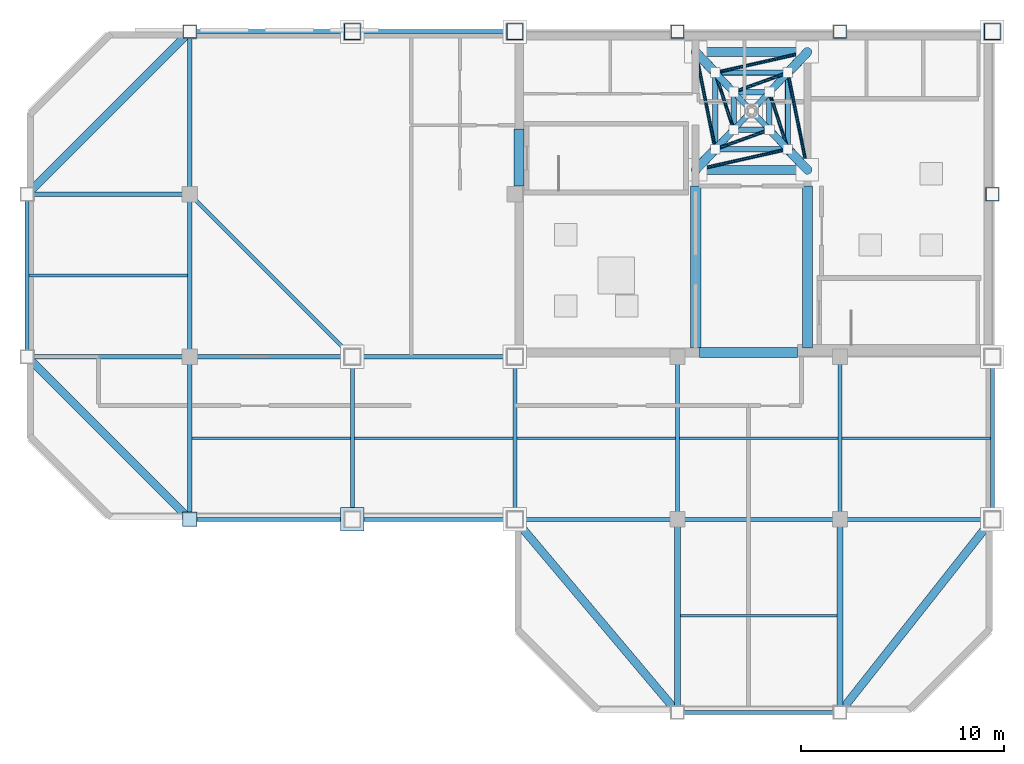
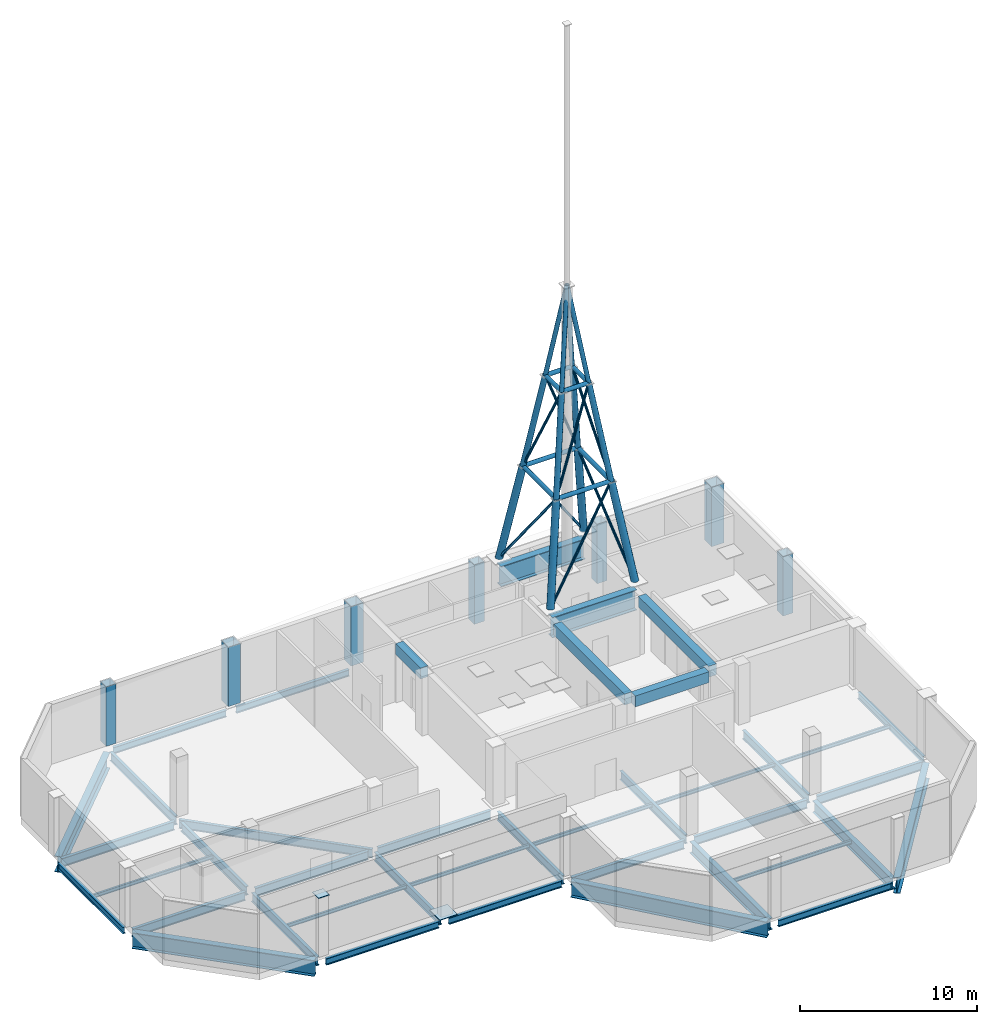
# One storey, part 3 of 7: 41 beams, 28 members, 7 columns, 2 plates.
"""IFC4 building model written with IfcOpenShell, lengths in metres."""

from ifc_helpers import new_model, si_unit, direction, frame, origin, origin_2d, place, context, subcontext, project, spatial, rectangle, hollow_rectangle, hollow_circle, i_section, extrude, material, layer, layer_set, material_profile, profile_set, type_object, element, save


model = new_model("IFC4")

# Units and contexts
model_context = context("Model", 3, precision=1e-05, world=origin(), true_north=direction((0.0, 1.0)))
body_context = subcontext(model_context, "Body", "Model", "MODEL_VIEW")
ifc_project = project(units=[si_unit("LENGTHUNIT", "METRE"), si_unit("AREAUNIT", "SQUARE_METRE"), si_unit("VOLUMEUNIT", "CUBIC_METRE"), si_unit("PLANEANGLEUNIT", "RADIAN"), si_unit("MASSUNIT", "GRAM", prefix="KILO")], contexts=[model_context])

# Site, building, storey
site_placement = place(None, origin())
site = spatial("IfcSite", under=ifc_project, at=site_placement, CompositionType="ELEMENT")
building_placement = place(site_placement, origin())
building = spatial("IfcBuilding", under=site, at=building_placement, Name="Qianrong Seaharbour Tower", CompositionType="ELEMENT")
storey_placement = place(building_placement, frame((0.0, 0.0, 383.800048828125)))
storey = spatial("IfcBuildingStorey", under=building, at=storey_placement, Name="L92", CompositionType="ELEMENT", Elevation=383.800048828125)

# Columns
ifc_material_1 = material(Name="Structural steel SN490B", Category="steel")
ifc_material_profile_1 = material_profile(ifc_material_1, hollow_rectangle(XDim=0.800048828125, YDim=0.800048828125, WallThickness=0.031982421875, at=origin_2d()), Name="BOX800x800x32")
ifc_profile_set_1 = profile_set([ifc_material_profile_1], Name="Structural steel SN490B")
column_type_1 = type_object("IfcColumnType", Name="COL-CFT-800", PredefinedType="COLUMN", material=ifc_profile_set_1)
for number, where, z_axis, x_axis, name in (
    (1, (32.5, 52.0, 0.0), (0.0, 0.0, 1.0), (1.0, 0.0, 0.0), "L92 Column MC-5 at G5/GH"),
    (2, (40.5, 52.0, 0.0), (0.0, 0.0, 1.0), (1.0, 0.0, 0.0), "L92 Column MC-5 at G6/GH"),
    (3, (64.0, 52.0, 0.0), (0.0, 0.0, 1.0), (1.0, 0.0, 0.0), "L92 Column MC-5 at G9/GH"),
):
    element("IfcColumn", number, at=place(storey_placement, frame(where, z_axis=z_axis, x_axis=x_axis)), inside=storey, type_object=column_type_1, Name=name, PredefinedType="COLUMN", context=body_context, shape_type="SweptSolid", body=[
        extrude(hollow_rectangle(XDim=0.800048828125, YDim=0.800048828125, WallThickness=0.031982421875, at=origin_2d()), origin(), (0.0, 0.0, 1.0), 4.099853515625),
    ])
ifc_material_2 = material(Name="Structural steel SN400B", Category="steel")
ifc_material_profile_2 = material_profile(ifc_material_2, hollow_rectangle(XDim=0.64990234375, YDim=0.64990234375, WallThickness=0.028076171875, at=origin_2d()), Name="BOX650x650x28")
ifc_profile_set_2 = profile_set([ifc_material_profile_2], Name="Structural steel SN400B")
column_type_2 = type_object("IfcColumnType", Name="COL-PER-650", PredefinedType="COLUMN", material=ifc_profile_set_2)
for number, where, z_axis, x_axis, name in (
    (4, (24.5, 52.0, 0.0), (0.0, 0.0, 1.0), (1.0, 0.0, 0.0), "L92 Column PC-4 at G4/GH"),
    (5, (48.5, 52.0, 0.0), (0.0, 0.0, 1.0), (1.0, 0.0, 0.0), "L92 Column PC-4 at G7/GH"),
    (6, (56.5, 52.0, 0.0), (0.0, 0.0, 1.0), (1.0, 0.0, 0.0), "L92 Column PC-4 at G8/GH"),
    (7, (64.0, 44.0, 0.0), (0.0, 0.0, 1.0), (1.0, 0.0, 0.0), "L92 Column PC-4 at G9/GG"),
):
    element("IfcColumn", number, at=place(storey_placement, frame(where, z_axis=z_axis, x_axis=x_axis)), inside=storey, type_object=column_type_2, Name=name, PredefinedType="COLUMN", context=body_context, shape_type="SweptSolid", body=[
        extrude(hollow_rectangle(XDim=0.64990234375, YDim=0.64990234375, WallThickness=0.028076171875, at=origin_2d()), origin(), (0.0, 0.0, 1.0), 4.099853515625),
    ])

# Beams
ifc_material_profile_3 = material_profile(ifc_material_1, i_section(OverallWidth=0.199951171875, OverallDepth=0.60009765625, WebThickness=0.010986328125, FlangeThickness=0.01708984375, FilletRadius=0.02197265625, at=origin_2d()), Name="H600x200x11x17")
ifc_profile_set_3 = profile_set([ifc_material_profile_3], Name="Structural steel SN490B")
beam_type_1 = type_object("IfcBeamType", Name="BM-G-600", PredefinedType="BEAM", material=ifc_profile_set_3)
for number, where, z_axis, x_axis, name in (
    (8, (40.820068359375, 28.0, -0.75), (1.0, 0.0, 0.0), (0.0, 1.0, 0.0), "L92 Primary Girder GE G6-G7"),
    (9, (48.820068359375, 28.0, -0.75), (1.0, 0.0, 0.0), (0.0, 1.0, 0.0), "L92 Primary Girder GE G7-G8"),
):
    element("IfcBeam", number, at=place(storey_placement, frame(where, z_axis=z_axis, x_axis=x_axis)), inside=storey, type_object=beam_type_1, Name=name, PredefinedType="BEAM", context=body_context, shape_type="SweptSolid", body=[
        extrude(i_section(OverallWidth=0.199951171875, OverallDepth=0.60009765625, WebThickness=0.010986328125, FlangeThickness=0.01708984375, FilletRadius=0.02197265625, at=origin_2d()), origin(), (0.0, 0.0, 1.0), 7.35986328125),
    ])
beam_1_placement = place(storey_placement, frame((56.820068359375, 28.0, -0.75), z_axis=(1.0, 0.0, 0.0), x_axis=(0.0, 1.0, 0.0)))
element("IfcBeam", 10, at=beam_1_placement, inside=storey, type_object=beam_type_1, Name="L92 Primary Girder GE G8-G9", PredefinedType="BEAM", context=body_context, shape_type="SweptSolid", body=[
    extrude(i_section(OverallWidth=0.199951171875, OverallDepth=0.60009765625, WebThickness=0.010986328125, FlangeThickness=0.01708984375, FilletRadius=0.02197265625, at=origin_2d()), origin(), (0.0, 0.0, 1.0), 6.85986328125),
])
for number, where, z_axis, x_axis, name in (
    (11, (16.820068359375, 36.0, -0.75), (1.0, 0.0, 0.0), (0.0, 1.0, 0.0), "L92 Primary Girder GF G3-G4"),
    (12, (24.820068359375, 36.0, -0.75), (1.0, 0.0, 0.0), (0.0, 1.0, 0.0), "L92 Primary Girder GF G4-G5"),
    (13, (32.820068359375, 36.0, -0.75), (1.0, 0.0, 0.0), (0.0, 1.0, 0.0), "L92 Primary Girder GF G5-G6"),
    (14, (16.820068359375, 44.0, -0.75), (1.0, 0.0, 0.0), (0.0, 1.0, 0.0), "L92 Primary Girder GG G3-G4"),
    (15, (24.5, 28.320068359375, -0.75), (0.0, 1.0, 0.0), (-1.0, 0.0, 0.0), "L92 Primary Girder G4 GE-GF"),
    (16, (24.5, 36.320068359375, -0.75), (0.0, 1.0, 0.0), (-1.0, 0.0, 0.0), "L92 Primary Girder G4 GF-GG"),
    (17, (24.5, 44.320068359375, -0.75), (0.0, 1.0, 0.0), (-1.0, 0.0, 0.0), "L92 Primary Girder G4 GG-GH"),
    (18, (32.5, 28.320068359375, -0.75), (0.0, 1.0, 0.0), (-1.0, 0.0, 0.0), "L92 Primary Girder G5 GE-GF"),
    (19, (40.5, 28.320068359375, -0.75), (0.0, 1.0, 0.0), (-1.0, 0.0, 0.0), "L92 Primary Girder G6 GE-GF"),
    (20, (48.5, 28.320068359375, -0.75), (0.0, 1.0, 0.0), (-1.0, 0.0, 0.0), "L92 Primary Girder G7 GE-GF"),
    (21, (56.5, 28.320068359375, -0.75), (0.0, 1.0, 0.0), (-1.0, 0.0, 0.0), "L92 Primary Girder G8 GE-GF"),
):
    element("IfcBeam", number, at=place(storey_placement, frame(where, z_axis=z_axis, x_axis=x_axis)), inside=storey, type_object=beam_type_1, Name=name, PredefinedType="BEAM", context=body_context, shape_type="SweptSolid", body=[
        extrude(i_section(OverallWidth=0.199951171875, OverallDepth=0.60009765625, WebThickness=0.010986328125, FlangeThickness=0.01708984375, FilletRadius=0.02197265625, at=origin_2d()), origin(), (0.0, 0.0, 1.0), 7.35986328125),
    ])
beam_2_placement = place(storey_placement, frame((24.5, 44.0, -0.75), z_axis=(0.707106781187, -0.707106781187, 0.0), x_axis=(0.707106781187, 0.707106781187, 0.0)))
element("IfcBeam", 22, at=beam_2_placement, inside=storey, type_object=beam_type_1, Name="L92 Tuned Mass Damper Suspension Rig Girder", PredefinedType="BEAM", context=body_context, shape_type="SweptSolid", body=[
    extrude(i_section(OverallWidth=0.199951171875, OverallDepth=0.60009765625, WebThickness=0.010986328125, FlangeThickness=0.01708984375, FilletRadius=0.02197265625, at=origin_2d()), origin(), (0.0, 0.0, 1.0), 11.313720703125),
])
ifc_material_profile_4 = material_profile(ifc_material_1, i_section(OverallWidth=0.300048828125, OverallDepth=0.800048828125, WebThickness=0.013916015625, FlangeThickness=0.02587890625, FilletRadius=0.028076171875, at=origin_2d()), Name="H800x300x14x26")
ifc_profile_set_4 = profile_set([ifc_material_profile_4], Name="Structural steel SN490B")
beam_type_2 = type_object("IfcBeamType", Name="BM-G-800", PredefinedType="BEAM", material=ifc_profile_set_4)
for number, where, z_axis, x_axis, name in (
    (23, (48.5, 18.820068359375, -0.85009765625), (0.0, 1.0, 0.0), (-1.0, 0.0, 0.0), "L92 Primary Girder G7 GD-GE"),
    (24, (56.5, 18.820068359375, -0.85009765625), (0.0, 1.0, 0.0), (-1.0, 0.0, 0.0), "L92 Primary Girder G8 GD-GE"),
):
    element("IfcBeam", number, at=place(storey_placement, frame(where, z_axis=z_axis, x_axis=x_axis)), inside=storey, type_object=beam_type_2, Name=name, PredefinedType="BEAM", context=body_context, shape_type="SweptSolid", body=[
        extrude(i_section(OverallWidth=0.300048828125, OverallDepth=0.800048828125, WebThickness=0.013916015625, FlangeThickness=0.02587890625, FilletRadius=0.028076171875, at=origin_2d()), origin(), (0.0, 0.0, 1.0), 8.85986328125),
    ])
ifc_material_profile_5 = material_profile(ifc_material_2, i_section(OverallWidth=0.125, OverallDepth=0.25, WebThickness=0.006103515625, FlangeThickness=0.009033203125, FilletRadius=0.011962890625, at=origin_2d()), Name="H250x125x6x9")
ifc_profile_set_5 = profile_set([ifc_material_profile_5], Name="Structural steel SN400B")
beam_type_3 = type_object("IfcBeamType", Name="BM-J-250", PredefinedType="JOIST", material=ifc_profile_set_5)
for number, where, z_axis, x_axis, name in (
    (25, (16.60009765625, 40.0, -0.574951171875), (1.0, 0.0, 0.0), (0.0, 1.0, 0.0), "L92 Composite Floor Joist G3-G4/GF-GG"),
    (26, (24.60009765625, 32.0, -0.574951171875), (1.0, 0.0, 0.0), (0.0, 1.0, 0.0), "L92 Composite Floor Joist G4-G5/GE-GF"),
    (27, (32.60009765625, 32.0, -0.574951171875), (1.0, 0.0, 0.0), (0.0, 1.0, 0.0), "L92 Composite Floor Joist G5-G6/GE-GF"),
    (28, (40.60009765625, 32.0, -0.574951171875), (1.0, 0.0, 0.0), (0.0, 1.0, 0.0), "L92 Composite Floor Joist G6-G7/GE-GF"),
):
    element("IfcBeam", number, at=place(storey_placement, frame(where, z_axis=z_axis, x_axis=x_axis)), inside=storey, type_object=beam_type_3, Name=name, PredefinedType="JOIST", context=body_context, shape_type="SweptSolid", body=[
        extrude(i_section(OverallWidth=0.125, OverallDepth=0.25, WebThickness=0.006103515625, FlangeThickness=0.009033203125, FilletRadius=0.011962890625, at=origin_2d()), origin(), (0.0, 0.0, 1.0), 7.7998046875),
    ])
beam_3_placement = place(storey_placement, frame((48.64990234375, 23.25, -0.574951171875), z_axis=(1.0, 0.0, 0.0), x_axis=(0.0, 1.0, 0.0)))
element("IfcBeam", 29, at=beam_3_placement, inside=storey, type_object=beam_type_3, Name="L92 Composite Floor Joist G7-G8/GD-GE", PredefinedType="JOIST", context=body_context, shape_type="SweptSolid", body=[
    extrude(i_section(OverallWidth=0.125, OverallDepth=0.25, WebThickness=0.006103515625, FlangeThickness=0.009033203125, FilletRadius=0.011962890625, at=origin_2d()), origin(), (0.0, 0.0, 1.0), 7.7001953125),
])
beam_4_placement = place(storey_placement, frame((48.60009765625, 32.0, -0.574951171875), z_axis=(1.0, 0.0, 0.0), x_axis=(0.0, 1.0, 0.0)))
element("IfcBeam", 30, at=beam_4_placement, inside=storey, type_object=beam_type_3, Name="L92 Composite Floor Joist G7-G8/GE-GF", PredefinedType="JOIST", context=body_context, shape_type="SweptSolid", body=[
    extrude(i_section(OverallWidth=0.125, OverallDepth=0.25, WebThickness=0.006103515625, FlangeThickness=0.009033203125, FilletRadius=0.011962890625, at=origin_2d()), origin(), (0.0, 0.0, 1.0), 7.7998046875),
])
beam_5_placement = place(storey_placement, frame((56.60009765625, 32.0, -0.574951171875), z_axis=(1.0, 0.0, 0.0), x_axis=(0.0, 1.0, 0.0)))
element("IfcBeam", 31, at=beam_5_placement, inside=storey, type_object=beam_type_3, Name="L92 Composite Floor Joist G8-G9/GE-GF", PredefinedType="JOIST", context=body_context, shape_type="SweptSolid", body=[
    extrude(i_section(OverallWidth=0.125, OverallDepth=0.25, WebThickness=0.006103515625, FlangeThickness=0.009033203125, FilletRadius=0.011962890625, at=origin_2d()), origin(), (0.0, 0.0, 1.0), 7.2998046875),
])
ifc_material_3 = material(Name="Concrete C60/75", Category="concrete")
ifc_material_profile_6 = material_profile(ifc_material_3, rectangle(XDim=0.5, YDim=0.75, at=origin_2d()), Name="RC500x750")
ifc_profile_set_6 = profile_set([ifc_material_profile_6], Name="Concrete C60/75")
beam_type_4 = type_object("IfcBeamType", Name="BM-LINTEL-750", PredefinedType="LINTEL", material=ifc_profile_set_6)
beam_6_placement = place(storey_placement, frame((40.7099609375, 44.39990234375, 3.724853515625), z_axis=(0.0, 1.0, 0.0), x_axis=(-1.0, 0.0, 0.0)))
element("IfcBeam", 32, at=beam_6_placement, inside=storey, type_object=beam_type_4, Name="L92 Core Coupling Lintel Beam West", PredefinedType="LINTEL", context=body_context, shape_type="SweptSolid", body=[
    extrude(rectangle(XDim=0.5, YDim=0.75, at=origin_2d()), origin(), (0.0, 0.0, 1.0), 2.800048828125),
])
beam_7_placement = place(storey_placement, frame((49.60009765625, 36.2099609375, 3.724853515625), z_axis=(1.0, 0.0, 0.0), x_axis=(0.0, 1.0, 0.0)))
element("IfcBeam", 33, at=beam_7_placement, inside=storey, type_object=beam_type_4, Name="L92 Core Coupling Lintel Beam CBC", PredefinedType="LINTEL", context=body_context, shape_type="SweptSolid", body=[
    extrude(rectangle(XDim=0.5, YDim=0.75, at=origin_2d()), origin(), (0.0, 0.0, 1.0), 4.7998046875),
])
for number, where, z_axis, x_axis, name in (
    (34, (49.39990234375, 36.419921875, 3.724853515625), (0.0, 1.0, 0.0), (-1.0, 0.0, 0.0), "L92 Internal Core Coupling Beam IW1"),
    (35, (54.89990234375, 36.419921875, 3.724853515625), (0.0, 1.0, 0.0), (-1.0, 0.0, 0.0), "L92 Internal Core Coupling Beam IW2"),
):
    element("IfcBeam", number, at=place(storey_placement, frame(where, z_axis=z_axis, x_axis=x_axis)), inside=storey, type_object=beam_type_4, Name=name, PredefinedType="LINTEL", context=body_context, shape_type="SweptSolid", body=[
        extrude(rectangle(XDim=0.5, YDim=0.75, at=origin_2d()), origin(), (0.0, 0.0, 1.0), 7.97998046875),
    ])
ifc_material_profile_7 = material_profile(ifc_material_2, i_section(OverallWidth=0.199951171875, OverallDepth=0.449951171875, WebThickness=0.009033203125, FlangeThickness=0.013916015625, FilletRadius=0.01806640625, at=origin_2d()), Name="H450x200x9x14")
ifc_profile_set_7 = profile_set([ifc_material_profile_7], Name="Structural steel SN400B")
beam_type_5 = type_object("IfcBeamType", Name="BM-SP-450", PredefinedType="SPANDREL", material=ifc_profile_set_7)
for number, where, z_axis, x_axis, name in (
    (36, (48.820068359375, 18.5, -0.675048828125), (1.0, 0.0, 0.0), (0.0, 1.0, 0.0), "L92 Spandrel Girder GD G7-G8"),
    (37, (24.820068359375, 28.0, -0.675048828125), (1.0, 0.0, 0.0), (0.0, 1.0, 0.0), "L92 Spandrel Girder GE G4-G5"),
    (38, (32.820068359375, 28.0, -0.675048828125), (1.0, 0.0, 0.0), (0.0, 1.0, 0.0), "L92 Spandrel Girder GE G5-G6"),
    (39, (24.820068359375, 52.0, -0.675048828125), (1.0, 0.0, 0.0), (0.0, 1.0, 0.0), "L92 Spandrel Girder GH G4-G5"),
    (40, (32.820068359375, 52.0, -0.675048828125), (1.0, 0.0, 0.0), (0.0, 1.0, 0.0), "L92 Spandrel Girder GH G5-G6"),
    (41, (16.5, 36.320068359375, -0.675048828125), (0.0, 1.0, 0.0), (-1.0, 0.0, 0.0), "L92 Spandrel Girder G3 GF-GG"),
    (42, (64.0, 28.320068359375, -0.675048828125), (0.0, 1.0, 0.0), (-1.0, 0.0, 0.0), "L92 Spandrel Girder G9 GE-GF"),
):
    element("IfcBeam", number, at=place(storey_placement, frame(where, z_axis=z_axis, x_axis=x_axis)), inside=storey, type_object=beam_type_5, Name=name, PredefinedType="SPANDREL", context=body_context, shape_type="SweptSolid", body=[
        extrude(i_section(OverallWidth=0.199951171875, OverallDepth=0.449951171875, WebThickness=0.009033203125, FlangeThickness=0.013916015625, FilletRadius=0.01806640625, at=origin_2d()), origin(), (0.0, 0.0, 1.0), 7.35986328125),
    ])
ifc_material_profile_8 = material_profile(ifc_material_1, i_section(OverallWidth=0.39990234375, OverallDepth=1.10009765625, WebThickness=0.02001953125, FlangeThickness=0.035888671875, at=origin_2d()), Name="BH1100x400x20x36")
ifc_profile_set_8 = profile_set([ifc_material_profile_8], Name="Structural steel SN490B")
beam_type_6 = type_object("IfcBeamType", Name="BM-TG-1100", PredefinedType="BEAM", material=ifc_profile_set_8)
for number, where, z_axis, x_axis, name in (
    (43, (24.273681640625, 28.226318359375, -1.0), (-0.707106781187, 0.707106781187, 0.0), (-0.707106781187, -0.707106781187, 0.0), "L92 Chamfer Corner Spandrel Girder G3/GE"),
    (44, (24.273681640625, 51.773681640625, -1.0), (-0.707106781187, -0.707106781187, 0.0), (0.707106781187, -0.707106781187, 0.0), "L92 Chamfer Corner Spandrel Girder G3/GH"),
):
    element("IfcBeam", number, at=place(storey_placement, frame(where, z_axis=z_axis, x_axis=x_axis)), inside=storey, type_object=beam_type_6, Name=name, PredefinedType="BEAM", context=body_context, shape_type="SweptSolid", body=[
        extrude(i_section(OverallWidth=0.39990234375, OverallDepth=1.10009765625, WebThickness=0.02001953125, FlangeThickness=0.035888671875, at=origin_2d()), origin(), (0.0, 0.0, 1.0), 10.673583984375),
    ])
beam_8_placement = place(storey_placement, frame((48.2939453125, 18.744873046875, -1.0), z_axis=(-0.644151063101, 0.764898299061, 0.0), x_axis=(-0.764898299061, -0.644151063101, 0.0)))
element("IfcBeam", 45, at=beam_8_placement, inside=storey, type_object=beam_type_6, Name="L92 Chamfer Corner Spandrel Girder G6/GD", PredefinedType="BEAM", context=body_context, shape_type="SweptSolid", body=[
    extrude(i_section(OverallWidth=0.39990234375, OverallDepth=1.10009765625, WebThickness=0.02001953125, FlangeThickness=0.035888671875, at=origin_2d()), origin(), (0.0, 0.0, 1.0), 11.77978515625),
])
beam_9_placement = place(storey_placement, frame((56.6982421875, 18.751220703125, -1.0), z_axis=(0.619653955715, 0.784875133487, 0.0), x_axis=(-0.784875133487, 0.619653955715, 0.0)))
element("IfcBeam", 46, at=beam_9_placement, inside=storey, type_object=beam_type_6, Name="L92 Chamfer Corner Spandrel Girder G9/GD", PredefinedType="BEAM", context=body_context, shape_type="SweptSolid", body=[
    extrude(i_section(OverallWidth=0.39990234375, OverallDepth=1.10009765625, WebThickness=0.02001953125, FlangeThickness=0.035888671875, at=origin_2d()), origin(), (0.0, 0.0, 1.0), 11.463623046875),
])
ifc_material_profile_9 = material_profile(ifc_material_1, i_section(OverallWidth=0.449951171875, OverallDepth=1.39990234375, WebThickness=0.02197265625, FlangeThickness=0.0400390625, at=origin_2d()), Name="BH1400x450x22x40")
ifc_profile_set_9 = profile_set([ifc_material_profile_9], Name="Structural steel SN490B")
beam_type_7 = type_object("IfcBeamType", Name="BM-TG-1400", PredefinedType="BEAM", material=ifc_profile_set_9)
for number, where, z_axis, x_axis, name in (
    (47, (49.39990234375, 45.199951171875, 3.39990234375), (1.0, 0.0, 0.0), (0.0, 1.0, 0.0), "L92 Spire Support Grillage Girder EW S"),
    (48, (49.39990234375, 51.0, 3.39990234375), (1.0, 0.0, 0.0), (0.0, 1.0, 0.0), "L92 Spire Support Grillage Girder EW N"),
):
    element("IfcBeam", number, at=place(storey_placement, frame(where, z_axis=z_axis, x_axis=x_axis)), inside=storey, type_object=beam_type_7, Name=name, PredefinedType="BEAM", context=body_context, shape_type="SweptSolid", body=[
        extrude(i_section(OverallWidth=0.449951171875, OverallDepth=1.39990234375, WebThickness=0.02197265625, FlangeThickness=0.0400390625, at=origin_2d()), origin(), (0.0, 0.0, 1.0), 5.5),
    ])

# Members
ifc_material_4 = material(Name="Stainless steel SUS316L", Category="steel")
ifc_material_profile_10 = material_profile(ifc_material_4, hollow_circle(Radius=0.08251953125, WallThickness=0.007080078125, at=origin_2d()), Name="CHS165.2x7.1")
ifc_profile_set_10 = profile_set([ifc_material_profile_10], Name="Stainless steel SUS316L")
member_type_1 = type_object("IfcMemberType", Name="MEM-SPIRE-BRACE", PredefinedType="BRACE", material=ifc_profile_set_10)
member_1_placement = place(storey_placement, frame((49.39990234375, 45.199951171875, 4.599853515625), z_axis=(0.562035217172, 0.125736706822, 0.817500272303), x_axis=(-0.218320103643, 0.975877211715, 0.0)))
element("IfcMember", 49, at=member_1_placement, inside=storey, type_object=member_type_1, Name="SPIRE MAST Diagonal Brace T1-S1", PredefinedType="BRACE", context=body_context, shape_type="SweptSolid", body=[
    extrude(hollow_circle(Radius=0.08251953125, WallThickness=0.007080078125, at=origin_2d()), origin(), (0.0, 0.0, 1.0), 8.073486328125),
])
member_2_placement = place(storey_placement, frame((54.89990234375, 45.199951171875, 4.599853515625), z_axis=(-0.117239598351, 0.582926465674, 0.804022146583), x_axis=(-0.980368486826, -0.197174110973, 0.0)))
element("IfcMember", 50, at=member_2_placement, inside=storey, type_object=member_type_1, Name="SPIRE MAST Diagonal Brace T1-S2", PredefinedType="BRACE", context=body_context, shape_type="SweptSolid", body=[
    extrude(hollow_circle(Radius=0.08251953125, WallThickness=0.007080078125, at=origin_2d()), origin(), (0.0, 0.0, 1.0), 8.208740234375),
])
member_3_placement = place(storey_placement, frame((54.89990234375, 51.0, 4.599853515625), z_axis=(-0.562016665907, -0.125709081527, 0.817517274475), x_axis=(0.21828128423, -0.975885895458, 0.0)))
element("IfcMember", 51, at=member_3_placement, inside=storey, type_object=member_type_1, Name="SPIRE MAST Diagonal Brace T1-S3", PredefinedType="BRACE", context=body_context, shape_type="SweptSolid", body=[
    extrude(hollow_circle(Radius=0.08251953125, WallThickness=0.007080078125, at=origin_2d()), origin(), (0.0, 0.0, 1.0), 8.0732421875),
])
member_4_placement = place(storey_placement, frame((49.39990234375, 51.0, 4.599853515625), z_axis=(0.117270963615, -0.582904797335, 0.804033281859), x_axis=(0.98035687126, 0.197231855879, 0.0)))
element("IfcMember", 52, at=member_4_placement, inside=storey, type_object=member_type_1, Name="SPIRE MAST Diagonal Brace T1-S4", PredefinedType="BRACE", context=body_context, shape_type="SweptSolid", body=[
    extrude(hollow_circle(Radius=0.08251953125, WallThickness=0.007080078125, at=origin_2d()), origin(), (0.0, 0.0, 1.0), 8.208740234375),
])
member_5_placement = place(storey_placement, frame((50.362548828125, 46.215087890625, 11.199951171875), z_axis=(0.376181762195, 0.134965450101, 0.916663301911), x_axis=(-0.33770037977, 0.941253660552, 0.0)))
element("IfcMember", 53, at=member_5_placement, inside=storey, type_object=member_type_1, Name="SPIRE MAST Diagonal Brace T2-S1", PredefinedType="BRACE", context=body_context, shape_type="SweptSolid", body=[
    extrude(hollow_circle(Radius=0.08251953125, WallThickness=0.007080078125, at=origin_2d()), origin(), (0.0, 0.0, 1.0), 7.0908203125),
])
member_6_placement = place(storey_placement, frame((53.9375, 46.215087890625, 11.199951171875), z_axis=(-0.127088253812, 0.39394965306, 0.910303381624), x_axis=(-0.951703168115, -0.307019673311, 0.0)))
element("IfcMember", 54, at=member_6_placement, inside=storey, type_object=member_type_1, Name="SPIRE MAST Diagonal Brace T2-S2", PredefinedType="BRACE", context=body_context, shape_type="SweptSolid", body=[
    extrude(hollow_circle(Radius=0.08251953125, WallThickness=0.007080078125, at=origin_2d()), origin(), (0.0, 0.0, 1.0), 7.140380859375),
])
member_7_placement = place(storey_placement, frame((53.9375, 49.985107421875, 11.199951171875), z_axis=(-0.376181762195, -0.134965450101, 0.916663301911), x_axis=(0.33770037977, -0.941253660552, 0.0)))
element("IfcMember", 55, at=member_7_placement, inside=storey, type_object=member_type_1, Name="SPIRE MAST Diagonal Brace T2-S3", PredefinedType="BRACE", context=body_context, shape_type="SweptSolid", body=[
    extrude(hollow_circle(Radius=0.08251953125, WallThickness=0.007080078125, at=origin_2d()), origin(), (0.0, 0.0, 1.0), 7.0908203125),
])
member_8_placement = place(storey_placement, frame((50.362548828125, 49.985107421875, 11.199951171875), z_axis=(0.127088253812, -0.39394965306, 0.910303381624), x_axis=(0.951703168115, 0.307019673311, 0.0)))
element("IfcMember", 56, at=member_8_placement, inside=storey, type_object=member_type_1, Name="SPIRE MAST Diagonal Brace T2-S4", PredefinedType="BRACE", context=body_context, shape_type="SweptSolid", body=[
    extrude(hollow_circle(Radius=0.08251953125, WallThickness=0.007080078125, at=origin_2d()), origin(), (0.0, 0.0, 1.0), 7.140380859375),
])
ifc_material_profile_11 = material_profile(ifc_material_4, hollow_circle(Radius=0.136474609375, WallThickness=0.010009765625, at=origin_2d()), Name="CHS273.0x10")
ifc_profile_set_11 = profile_set([ifc_material_profile_11], Name="Stainless steel SUS316L")
member_type_2 = type_object("IfcMemberType", Name="MEM-SPIRE-LEG-273", PredefinedType="BRACE", material=ifc_profile_set_11)
for number, where, z_axis, x_axis, name in (
    (57, (51.27001953125, 47.172119140625, 17.699951171875), (0.132820500089, 0.14008066616, 0.981191174912), (-0.725661650265, 0.688051719956, 0.0), "SPIRE MAST Tapered Leg Stay Tier 3 SW"),
    (58, (53.030029296875, 47.172119140625, 17.699951171875), (-0.132856703313, 0.140079980386, 0.98118637143), (-0.725566334172, -0.688152232225, 0.0), "SPIRE MAST Tapered Leg Stay Tier 3 SE"),
    (59, (51.27001953125, 49.028076171875, 17.699951171875), (0.132820500089, -0.14008066616, 0.981191174912), (0.725661650265, 0.688051719956, 0.0), "SPIRE MAST Tapered Leg Stay Tier 3 NW"),
    (60, (53.030029296875, 49.028076171875, 17.699951171875), (-0.132856703313, -0.140079980386, 0.98118637143), (0.725566334172, -0.688152232225, 0.0), "SPIRE MAST Tapered Leg Stay Tier 3 NE"),
):
    element("IfcMember", number, at=place(storey_placement, frame(where, z_axis=z_axis, x_axis=x_axis)), inside=storey, type_object=member_type_2, Name=name, PredefinedType="BRACE", context=body_context, shape_type="SweptSolid", body=[
        extrude(hollow_circle(Radius=0.136474609375, WallThickness=0.010009765625, at=origin_2d()), origin(), (0.0, 0.0, 1.0), 6.62451171875),
    ])
ifc_material_profile_12 = material_profile(ifc_material_4, hollow_circle(Radius=0.177734375, WallThickness=0.0126953125, at=origin_2d()), Name="CHS355.6x12.7")
ifc_profile_set_12 = profile_set([ifc_material_profile_12], Name="Stainless steel SUS316L")
member_type_3 = type_object("IfcMemberType", Name="MEM-SPIRE-LEG-356", PredefinedType="BRACE", material=ifc_profile_set_12)
for number, where, z_axis, x_axis, name in (
    (61, (50.362548828125, 46.215087890625, 11.199951171875), (0.136822819366, 0.144295252062, 0.980029793595), (-0.725646160643, 0.688068055896, 0.0), "SPIRE MAST Tapered Leg Stay Tier 2 SW"),
    (62, (53.9375, 46.215087890625, 11.199951171875), (-0.136822819366, 0.144295252062, 0.980029793595), (-0.725646160643, -0.688068055896, 0.0), "SPIRE MAST Tapered Leg Stay Tier 2 SE"),
    (63, (50.362548828125, 49.985107421875, 11.199951171875), (0.136822819366, -0.144295252062, 0.980029793595), (0.725646160643, 0.688068055896, 0.0), "SPIRE MAST Tapered Leg Stay Tier 2 NW"),
    (64, (53.9375, 49.985107421875, 11.199951171875), (-0.136822819366, -0.144295252062, 0.980029793595), (0.725646160643, -0.688068055896, 0.0), "SPIRE MAST Tapered Leg Stay Tier 2 NE"),
):
    element("IfcMember", number, at=place(storey_placement, frame(where, z_axis=z_axis, x_axis=x_axis)), inside=storey, type_object=member_type_3, Name=name, PredefinedType="BRACE", context=body_context, shape_type="SweptSolid", body=[
        extrude(hollow_circle(Radius=0.177734375, WallThickness=0.0126953125, at=origin_2d()), origin(), (0.0, 0.0, 1.0), 6.632568359375),
    ])
ifc_material_profile_13 = material_profile(ifc_material_4, hollow_circle(Radius=0.228515625, WallThickness=0.01611328125, at=origin_2d()), Name="CHS457.2x16")
ifc_profile_set_13 = profile_set([ifc_material_profile_13], Name="Stainless steel SUS316L")
member_type_4 = type_object("IfcMemberType", Name="MEM-SPIRE-LEG-457", PredefinedType="BRACE", material=ifc_profile_set_13)
member_9_placement = place(storey_placement, frame((49.39990234375, 45.199951171875, 4.599853515625), z_axis=(0.142683237197, 0.150463327483, 0.978264933904), x_axis=(-0.725617841993, 0.688097919908, 0.0)))
element("IfcMember", 65, at=member_9_placement, inside=storey, type_object=member_type_4, Name="SPIRE MAST Tapered Leg Stay Tier 1 SW", PredefinedType="BRACE", context=body_context, shape_type="SweptSolid", body=[
    extrude(hollow_circle(Radius=0.228515625, WallThickness=0.01611328125, at=origin_2d()), origin(), (0.0, 0.0, 1.0), 6.746826171875),
])
for number, where, z_axis, x_axis, name in (
    (66, (54.89990234375, 45.199951171875, 4.599853515625), (-0.142647787158, 0.150464104263, 0.978269984282), (-0.725704979436, -0.688006019466, 0.0), "SPIRE MAST Tapered Leg Stay Tier 1 SE"),
    (67, (49.39990234375, 51.0, 4.599853515625), (0.142684013982, -0.150427959961, 0.978270259701), (0.725535198921, 0.688185058779, 0.0), "SPIRE MAST Tapered Leg Stay Tier 1 NW"),
    (68, (54.89990234375, 51.0, 4.599853515625), (-0.142648563759, -0.150428736567, 0.978275310162), (0.725622348513, -0.68809316763, 0.0), "SPIRE MAST Tapered Leg Stay Tier 1 NE"),
):
    element("IfcMember", number, at=place(storey_placement, frame(where, z_axis=z_axis, x_axis=x_axis)), inside=storey, type_object=member_type_4, Name=name, PredefinedType="BRACE", context=body_context, shape_type="SweptSolid", body=[
        extrude(hollow_circle(Radius=0.228515625, WallThickness=0.01611328125, at=origin_2d()), origin(), (0.0, 0.0, 1.0), 6.74658203125),
    ])
ifc_material_profile_14 = material_profile(ifc_material_4, hollow_circle(Radius=0.136474609375, WallThickness=0.010009765625, at=origin_2d()), Name="CHS273.0x10")
ifc_profile_set_14 = profile_set([ifc_material_profile_14], Name="Stainless steel SUS316L")
member_type_5 = type_object("IfcMemberType", Name="MEM-SPIRE-STRUT", PredefinedType="STRUT", material=ifc_profile_set_14)
member_10_placement = place(storey_placement, frame((50.362548828125, 46.215087890625, 11.199951171875), z_axis=(1.0, 0.0, 0.0), x_axis=(0.0, 1.0, 0.0)))
element("IfcMember", 69, at=member_10_placement, inside=storey, type_object=member_type_5, Name="SPIRE MAST Collar Strut T1-S1", PredefinedType="STRUT", context=body_context, shape_type="SweptSolid", body=[
    extrude(hollow_circle(Radius=0.136474609375, WallThickness=0.010009765625, at=origin_2d()), origin(), (0.0, 0.0, 1.0), 3.574951171875),
])
member_11_placement = place(storey_placement, frame((53.9375, 46.215087890625, 11.199951171875), z_axis=(0.0, 1.0, 0.0), x_axis=(-1.0, 0.0, 0.0)))
element("IfcMember", 70, at=member_11_placement, inside=storey, type_object=member_type_5, Name="SPIRE MAST Collar Strut T1-S2", PredefinedType="STRUT", context=body_context, shape_type="SweptSolid", body=[
    extrude(hollow_circle(Radius=0.136474609375, WallThickness=0.010009765625, at=origin_2d()), origin(), (0.0, 0.0, 1.0), 3.77001953125),
])
member_12_placement = place(storey_placement, frame((53.9375, 49.985107421875, 11.199951171875), z_axis=(-1.0, 0.0, 0.0), x_axis=(0.0, -1.0, 0.0)))
element("IfcMember", 71, at=member_12_placement, inside=storey, type_object=member_type_5, Name="SPIRE MAST Collar Strut T1-S3", PredefinedType="STRUT", context=body_context, shape_type="SweptSolid", body=[
    extrude(hollow_circle(Radius=0.136474609375, WallThickness=0.010009765625, at=origin_2d()), origin(), (0.0, 0.0, 1.0), 3.574951171875),
])
member_13_placement = place(storey_placement, frame((50.362548828125, 49.985107421875, 11.199951171875), z_axis=(0.0, -1.0, 0.0), x_axis=(1.0, 0.0, 0.0)))
element("IfcMember", 72, at=member_13_placement, inside=storey, type_object=member_type_5, Name="SPIRE MAST Collar Strut T1-S4", PredefinedType="STRUT", context=body_context, shape_type="SweptSolid", body=[
    extrude(hollow_circle(Radius=0.136474609375, WallThickness=0.010009765625, at=origin_2d()), origin(), (0.0, 0.0, 1.0), 3.77001953125),
])
member_14_placement = place(storey_placement, frame((51.27001953125, 47.172119140625, 17.699951171875), z_axis=(1.0, 0.0, 0.0), x_axis=(0.0, 1.0, 0.0)))
element("IfcMember", 73, at=member_14_placement, inside=storey, type_object=member_type_5, Name="SPIRE MAST Collar Strut T2-S1", PredefinedType="STRUT", context=body_context, shape_type="SweptSolid", body=[
    extrude(hollow_circle(Radius=0.136474609375, WallThickness=0.010009765625, at=origin_2d()), origin(), (0.0, 0.0, 1.0), 1.760009765625),
])
member_15_placement = place(storey_placement, frame((53.030029296875, 47.172119140625, 17.699951171875), z_axis=(0.0, 1.0, 0.0), x_axis=(-1.0, 0.0, 0.0)))
element("IfcMember", 74, at=member_15_placement, inside=storey, type_object=member_type_5, Name="SPIRE MAST Collar Strut T2-S2", PredefinedType="STRUT", context=body_context, shape_type="SweptSolid", body=[
    extrude(hollow_circle(Radius=0.136474609375, WallThickness=0.010009765625, at=origin_2d()), origin(), (0.0, 0.0, 1.0), 1.85595703125),
])
member_16_placement = place(storey_placement, frame((53.030029296875, 49.028076171875, 17.699951171875), z_axis=(-1.0, 0.0, 0.0), x_axis=(0.0, -1.0, 0.0)))
element("IfcMember", 75, at=member_16_placement, inside=storey, type_object=member_type_5, Name="SPIRE MAST Collar Strut T2-S3", PredefinedType="STRUT", context=body_context, shape_type="SweptSolid", body=[
    extrude(hollow_circle(Radius=0.136474609375, WallThickness=0.010009765625, at=origin_2d()), origin(), (0.0, 0.0, 1.0), 1.760009765625),
])
member_17_placement = place(storey_placement, frame((51.27001953125, 49.028076171875, 17.699951171875), z_axis=(0.0, -1.0, 0.0), x_axis=(1.0, 0.0, 0.0)))
element("IfcMember", 76, at=member_17_placement, inside=storey, type_object=member_type_5, Name="SPIRE MAST Collar Strut T2-S4", PredefinedType="STRUT", context=body_context, shape_type="SweptSolid", body=[
    extrude(hollow_circle(Radius=0.136474609375, WallThickness=0.010009765625, at=origin_2d()), origin(), (0.0, 0.0, 1.0), 1.85595703125),
])

# Plates
ifc_layer = layer(ifc_material_1, 0.044921875)
ifc_layer_set = layer_set([ifc_layer], Name="Structural steel SN490B")
plate_type = type_object("IfcPlateType", Name="PLT-COL-CAP-45", PredefinedType="SHEET", material=ifc_layer_set)
plate_1_placement = place(storey_placement, frame((24.5, 28.0, 4.077392578125), z_axis=(0.0, 0.0, 1.0), x_axis=(1.0, 0.0, 0.0)))
element("IfcPlate", 77, at=plate_1_placement, inside=storey, type_object=plate_type, Name="L92 Hollow Column Closure Cap Plate G4/GE", PredefinedType="SHEET", context=body_context, shape_type="SweptSolid", body=[
    extrude(rectangle(XDim=0.7099609375, YDim=0.7099609375, at=origin_2d()), origin(), (0.0, 0.0, 1.0), 0.044921875),
])
plate_2_placement = place(storey_placement, frame((32.5, 28.0, -0.0224609375), z_axis=(0.0, 0.0, 1.0), x_axis=(1.0, 0.0, 0.0)))
element("IfcPlate", 78, at=plate_2_placement, inside=storey, type_object=plate_type, Name="L92 Column Splice Cap Plate G5/GE", PredefinedType="SHEET", context=body_context, shape_type="SweptSolid", body=[
    extrude(rectangle(XDim=1.14990234375, YDim=1.14990234375, at=origin_2d()), origin(), (0.0, 0.0, 1.0), 0.044921875),
])

save(model, "model.ifc")
